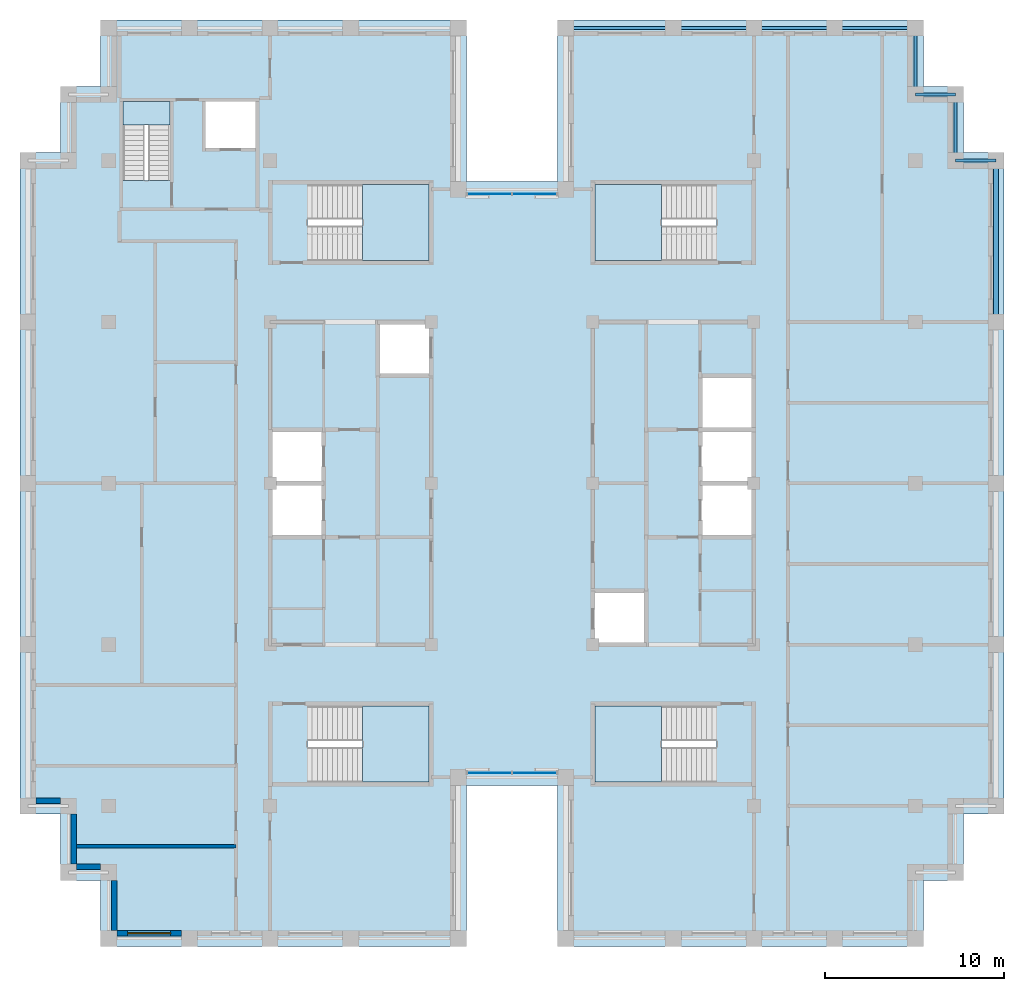
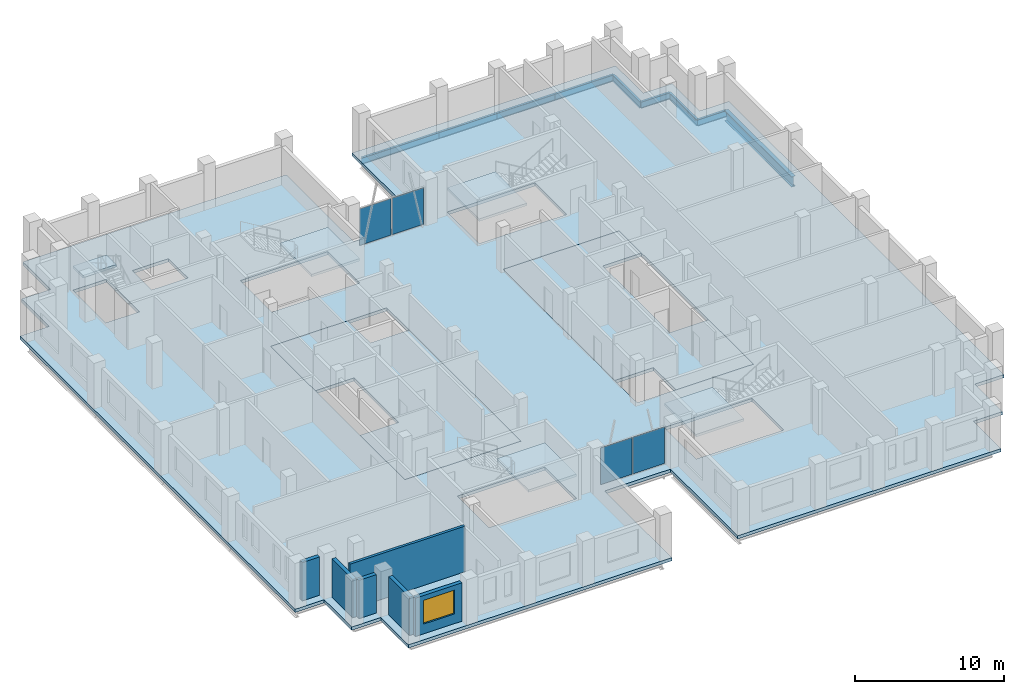
# One storey, part 5 of 13: 9 beams, 8 slabs, 6 walls, 4 plates, 1 window, 1 opening, 7 elements without a shape of their own.
"""IFC4 building model written with IfcOpenShell, lengths in metres."""

from ifc_helpers import new_model, si_unit, direction, frame, frame_2d, origin, origin_2d, place, context, subcontext, project, spatial, polyline, rectangle, i_section, outline, extrude, material, layer, layer_set, material_profile, profile_set, type_object, element, fill, aggregate, save


model = new_model("IFC4")

# Units and contexts
model_context = context("Model", 3, precision=1e-05, world=origin(), true_north=direction((0.0, 1.0)))
body_context = subcontext(model_context, "Body", "Model", "MODEL_VIEW")
ifc_project = project(units=[si_unit("LENGTHUNIT", "METRE"), si_unit("AREAUNIT", "SQUARE_METRE"), si_unit("VOLUMEUNIT", "CUBIC_METRE"), si_unit("PLANEANGLEUNIT", "RADIAN"), si_unit("MASSUNIT", "GRAM", prefix="KILO")], contexts=[model_context])

# Site, building, storey
site_placement = place(None, origin())
site = spatial("IfcSite", under=ifc_project, at=site_placement, CompositionType="ELEMENT")
building_placement = place(site_placement, origin())
building = spatial("IfcBuilding", under=site, at=building_placement, Name="Corbelhall Arena Tower", CompositionType="ELEMENT")
storey_placement = place(building_placement, frame((0.0, 0.0, 342.0)))
storey = spatial("IfcBuildingStorey", under=building, at=storey_placement, Name="L75", CompositionType="ELEMENT", Elevation=342.0)

# Beams
ifc_material_1 = material(Name="Steel ASTM A992 Gr50", Category="steel")
ifc_material_profile_1 = material_profile(ifc_material_1, i_section(OverallWidth=0.16650390625, OverallDepth=0.535888671875, WebThickness=0.01025390625, FlangeThickness=0.0166015625, at=origin_2d()))
ifc_profile_set_1 = profile_set([ifc_material_profile_1], Name="Steel ASTM A992 Gr50")
beam_type_1 = type_object("IfcBeamType", Name="ST-SPANDREL-W21x57", PredefinedType="SPANDREL", material=ifc_profile_set_1)
beam_1_placement = place(storey_placement, frame((3.0, 25.39990234375, -0.528076171875), z_axis=(1.0, 0.0, 0.0), x_axis=(0.0, 1.0, 0.0)))
element("IfcBeam", 1, at=beam_1_placement, inside=storey, type_object=beam_type_1, Name="Beam SP 6", PredefinedType="SPANDREL", context=body_context, shape_type="SweptSolid", body=[
    extrude(i_section(OverallWidth=0.16650390625, OverallDepth=0.535888671875, WebThickness=0.01025390625, FlangeThickness=0.0166015625, at=origin_2d()), origin(), (0.0, 0.0, 1.0), 6.0),
])
for number, where, z_axis, x_axis, name in (
    (2, (9.0, 25.39990234375, -0.528076171875), (1.0, 0.0, 0.0), (0.0, 1.0, 0.0), "Beam SP 7"),
    (3, (13.5, 25.39990234375, -0.528076171875), (1.0, 0.0, 0.0), (0.0, 1.0, 0.0), "Beam SP 8"),
    (4, (18.0, 25.39990234375, -0.528076171875), (1.0, 0.0, 0.0), (0.0, 1.0, 0.0), "Beam SP 9"),
):
    element("IfcBeam", number, at=place(storey_placement, frame(where, z_axis=z_axis, x_axis=x_axis)), inside=storey, type_object=beam_type_1, Name=name, PredefinedType="SPANDREL", context=body_context, shape_type="SweptSolid", body=[
        extrude(i_section(OverallWidth=0.16650390625, OverallDepth=0.535888671875, WebThickness=0.01025390625, FlangeThickness=0.0166015625, at=origin_2d()), origin(), (0.0, 0.0, 1.0), 4.5),
    ])
beam_2_placement = place(storey_placement, frame((22.5, 25.39990234375, -0.528076171875), z_axis=(0.0, -1.0, 0.0), x_axis=(1.0, 0.0, 0.0)))
element("IfcBeam", 5, at=beam_2_placement, inside=storey, type_object=beam_type_1, Name="Beam SP 10", PredefinedType="SPANDREL", context=body_context, shape_type="SweptSolid", body=[
    extrude(i_section(OverallWidth=0.16650390625, OverallDepth=0.535888671875, WebThickness=0.01025390625, FlangeThickness=0.0166015625, at=origin_2d()), origin(), (0.0, 0.0, 1.0), 3.699951171875),
])
beam_3_placement = place(storey_placement, frame((22.5, 21.699951171875, -0.528076171875), z_axis=(1.0, 0.0, 0.0), x_axis=(0.0, 1.0, 0.0)))
element("IfcBeam", 6, at=beam_3_placement, inside=storey, type_object=beam_type_1, Name="Beam SP 35", PredefinedType="SPANDREL", context=body_context, shape_type="SweptSolid", body=[
    extrude(i_section(OverallWidth=0.16650390625, OverallDepth=0.535888671875, WebThickness=0.01025390625, FlangeThickness=0.0166015625, at=origin_2d()), origin(), (0.0, 0.0, 1.0), 2.25),
])
beam_4_placement = place(storey_placement, frame((24.75, 21.699951171875, -0.528076171875), z_axis=(0.0, -1.0, 0.0), x_axis=(1.0, 0.0, 0.0)))
element("IfcBeam", 7, at=beam_4_placement, inside=storey, type_object=beam_type_1, Name="Beam SP 36", PredefinedType="SPANDREL", context=body_context, shape_type="SweptSolid", body=[
    extrude(i_section(OverallWidth=0.16650390625, OverallDepth=0.535888671875, WebThickness=0.01025390625, FlangeThickness=0.0166015625, at=origin_2d()), origin(), (0.0, 0.0, 1.0), 3.699951171875),
])
beam_5_placement = place(storey_placement, frame((24.75, 18.0, -0.528076171875), z_axis=(1.0, 0.0, 0.0), x_axis=(0.0, 1.0, 0.0)))
element("IfcBeam", 8, at=beam_5_placement, inside=storey, type_object=beam_type_1, Name="Beam SP 37", PredefinedType="SPANDREL", context=body_context, shape_type="SweptSolid", body=[
    extrude(i_section(OverallWidth=0.16650390625, OverallDepth=0.535888671875, WebThickness=0.01025390625, FlangeThickness=0.0166015625, at=origin_2d()), origin(), (0.0, 0.0, 1.0), 2.25),
])
ifc_material_profile_2 = material_profile(ifc_material_1, i_section(OverallWidth=0.2919921875, OverallDepth=0.845703125, WebThickness=0.015380859375, FlangeThickness=0.0244140625, at=origin_2d()))
ifc_profile_set_2 = profile_set([ifc_material_profile_2], Name="Steel ASTM A992 Gr50")
beam_type_2 = type_object("IfcBeamType", Name="ST-SPANDREL-W33x141", PredefinedType="SPANDREL", material=ifc_profile_set_2)
beam_6_placement = place(storey_placement, frame((27.0, 18.0, -0.682861328125), z_axis=(0.0, -1.0, 0.0), x_axis=(1.0, 0.0, 0.0)))
element("IfcBeam", 9, at=beam_6_placement, inside=storey, type_object=beam_type_2, Name="Beam SP 3", PredefinedType="SPANDREL", context=body_context, shape_type="SweptSolid", body=[
    extrude(i_section(OverallWidth=0.2919921875, OverallDepth=0.845703125, WebThickness=0.015380859375, FlangeThickness=0.0244140625, at=origin_2d()), origin(), (0.0, 0.0, 1.0), 9.0),
])

# Curtain wall, plates
ifc_material_2 = material(Name="Aluminium black anodised", Category="aluminium")
ifc_layer_1 = layer(ifc_material_2, 0.199951171875)
ifc_layer_set_1 = layer_set([ifc_layer_1], Name="EV-CW1 Slot back wall")
curtain_wall_type = type_object("IfcCurtainWallType", Name="EV-CW1 Slot back wall", PredefinedType="NOTDEFINED", material=ifc_layer_set_1)
curtain_wall_1_placement = place(storey_placement, origin())
curtain_wall_1 = element("IfcCurtainWall", 10, at=curtain_wall_1_placement, inside=storey, type_object=curtain_wall_type, Name="Curtain wall CW1", PredefinedType="NOTDEFINED")
ifc_material_3 = material(Name="Glass dark tinted laminated", Category="glass")
ifc_layer_2 = layer(ifc_material_3, 0.028076171875)
ifc_layer_set_2 = layer_set([ifc_layer_2], Name="EV-CW1-PANEL")
plate_type = type_object("IfcPlateType", Name="EV-CW1-PANEL", PredefinedType="CURTAIN_PANEL", material=ifc_layer_set_2)
plate_1_placement = place(storey_placement, frame((-1.25634765625, -16.14990234375, 0.0751953125), z_axis=(0.0, 0.0, 1.0), x_axis=(1.0, 0.0, 0.0)))
plate_1 = element("IfcPlate", 11, at=plate_1_placement, type_object=plate_type, Name="CW1 panel 1.1", PredefinedType="CURTAIN_PANEL", context=body_context, shape_type="SweptSolid", body=[
    extrude(rectangle(XDim=2.4375, YDim=0.028076171875, at=origin_2d()), origin(), (0.0, 0.0, 1.0), 2.989990234375),
])
plate_2_placement = place(storey_placement, frame((1.25634765625, -16.14990234375, 0.0751953125), z_axis=(0.0, 0.0, 1.0), x_axis=(1.0, 0.0, 0.0)))
plate_2 = element("IfcPlate", 12, at=plate_2_placement, type_object=plate_type, Name="CW1 panel 2.1", PredefinedType="CURTAIN_PANEL", context=body_context, shape_type="SweptSolid", body=[
    extrude(rectangle(XDim=2.4375, YDim=0.028076171875, at=origin_2d()), origin(), (0.0, 0.0, 1.0), 2.989990234375),
])
aggregate(curtain_wall_1, [plate_1, plate_2])

curtain_wall_2_placement = place(storey_placement, origin())
curtain_wall_2 = element("IfcCurtainWall", 13, at=curtain_wall_2_placement, inside=storey, type_object=curtain_wall_type, Name="Curtain wall CW1", PredefinedType="NOTDEFINED")
plate_3_placement = place(storey_placement, frame((1.25634765625, 16.14990234375, 0.0751953125), z_axis=(0.0, 0.0, 1.0), x_axis=(-1.0, 0.0, 0.0)))
plate_3 = element("IfcPlate", 14, at=plate_3_placement, type_object=plate_type, Name="CW1 panel 1.1", PredefinedType="CURTAIN_PANEL", context=body_context, shape_type="SweptSolid", body=[
    extrude(rectangle(XDim=2.4375, YDim=0.028076171875, at=origin_2d()), origin(), (0.0, 0.0, 1.0), 2.989990234375),
])
plate_4_placement = place(storey_placement, frame((-1.25634765625, 16.14990234375, 0.0751953125), z_axis=(0.0, 0.0, 1.0), x_axis=(-1.0, 0.0, 0.0)))
plate_4 = element("IfcPlate", 15, at=plate_4_placement, type_object=plate_type, Name="CW1 panel 2.1", PredefinedType="CURTAIN_PANEL", context=body_context, shape_type="SweptSolid", body=[
    extrude(rectangle(XDim=2.4375, YDim=0.028076171875, at=origin_2d()), origin(), (0.0, 0.0, 1.0), 2.989990234375),
])
aggregate(curtain_wall_2, [plate_3, plate_4])

# Slabs
ifc_material_4 = material(Name="Concrete C40/50", Category="concrete")
ifc_layer_3 = layer(ifc_material_4, 0.300048828125)
ifc_layer_set_3 = layer_set([ifc_layer_3], Name="IN-SL-CORE")
slab_type_1 = type_object("IfcSlabType", Name="IN-SL-CORE", PredefinedType="FLOOR", material=ifc_layer_set_3)
slab_1_placement = place(storey_placement, frame((0.0, 0.0, -0.260009765625)))
element("IfcSlab", 16, at=slab_1_placement, inside=storey, type_object=slab_type_1, Name="Core floor W", PredefinedType="FLOOR", context=body_context, shape_type="SweptSolid", body=[
    extrude(outline(polyline([(-13.5, -3.0), (-13.5, -9.0), (-4.5, -9.0), (-4.5, 6.0), (-7.5, 6.0), (-7.5, 9.0), (-13.5, 9.0), (-13.5, 3.0), (-10.5, 3.0), (-10.5, 0.0), (-10.5, -3.0), (-13.5, -3.0)])), origin(), (0.0, 0.0, 1.0), 0.260009765625),
])
slab_2_placement = place(storey_placement, frame((0.0, 0.0, -0.260009765625)))
element("IfcSlab", 17, at=slab_2_placement, inside=storey, type_object=slab_type_1, Name="Core floor E", PredefinedType="FLOOR", context=body_context, shape_type="SweptSolid", body=[
    extrude(outline(polyline([(10.5, 0.0), (10.5, 3.0), (10.5, 6.0), (13.5, 6.0), (13.5, 9.0), (4.5, 9.0), (4.5, -6.0), (7.5, -6.0), (7.5, -9.0), (13.5, -9.0), (13.5, -3.0), (10.5, -3.0), (10.5, 0.0)])), origin(), (0.0, 0.0, 1.0), 0.260009765625),
])

# Stair, slab
stair_type = type_object("IfcStairType", Name="IN-ST-TOWER", PredefinedType="HALF_TURN_STAIR", material=ifc_material_4)
stair_1_placement = place(storey_placement, origin())
stair_1 = element("IfcStair", 18, at=stair_1_placement, inside=storey, type_object=stair_type, Name="L75 Exit stair ST1", PredefinedType="HALF_TURN_STAIR")
ifc_layer_4 = layer(ifc_material_4, 0.199951171875)
ifc_layer_set_4 = layer_set([ifc_layer_4], Name="IN-SL-LANDING")
slab_type_2 = type_object("IfcSlabType", Name="IN-SL-LANDING", PredefinedType="LANDING", material=ifc_layer_set_4)
slab_3_placement = place(storey_placement, frame((0.0, 0.0, 1.800048828125)))
slab_3 = element("IfcSlab", 19, at=slab_3_placement, type_object=slab_type_2, Name="ST1 landing 1", PredefinedType="LANDING", context=body_context, shape_type="SweptSolid", body=[
    extrude(outline(polyline([(-8.344970703125, 12.425048828125), (-4.625, 12.425048828125), (-4.625, 16.675048828125), (-8.344970703125, 16.675048828125), (-8.344970703125, 12.425048828125)])), origin(), (0.0, 0.0, 1.0), 0.199951171875),
])
aggregate(stair_1, [slab_3])

stair_2_placement = place(storey_placement, origin())
stair_2 = element("IfcStair", 20, at=stair_2_placement, inside=storey, type_object=stair_type, Name="L75 Exit stair ST2", PredefinedType="HALF_TURN_STAIR")
slab_4_placement = place(storey_placement, frame((0.0, 0.0, 1.800048828125)))
slab_4 = element("IfcSlab", 21, at=slab_4_placement, type_object=slab_type_2, Name="ST2 landing 1", PredefinedType="LANDING", context=body_context, shape_type="SweptSolid", body=[
    extrude(outline(polyline([(-8.344970703125, -16.675048828125), (-4.625, -16.675048828125), (-4.625, -12.425048828125), (-8.344970703125, -12.425048828125), (-8.344970703125, -16.675048828125)])), origin(), (0.0, 0.0, 1.0), 0.199951171875),
])
aggregate(stair_2, [slab_4])

stair_3_placement = place(storey_placement, origin())
stair_3 = element("IfcStair", 22, at=stair_3_placement, inside=storey, type_object=stair_type, Name="L75 Exit stair ST3", PredefinedType="HALF_TURN_STAIR")
slab_5_placement = place(storey_placement, frame((0.0, 0.0, 1.800048828125)))
slab_5 = element("IfcSlab", 23, at=slab_5_placement, type_object=slab_type_2, Name="ST3 landing 1", PredefinedType="LANDING", context=body_context, shape_type="SweptSolid", body=[
    extrude(outline(polyline([(8.344970703125, 16.675048828125), (4.625, 16.675048828125), (4.625, 12.425048828125), (8.344970703125, 12.425048828125), (8.344970703125, 16.675048828125)])), origin(), (0.0, 0.0, 1.0), 0.199951171875),
])
aggregate(stair_3, [slab_5])

stair_4_placement = place(storey_placement, origin())
stair_4 = element("IfcStair", 24, at=stair_4_placement, inside=storey, type_object=stair_type, Name="L75 Exit stair ST4", PredefinedType="HALF_TURN_STAIR")
slab_6_placement = place(storey_placement, frame((0.0, 0.0, 1.800048828125)))
slab_6 = element("IfcSlab", 25, at=slab_6_placement, type_object=slab_type_2, Name="ST4 landing 1", PredefinedType="LANDING", context=body_context, shape_type="SweptSolid", body=[
    extrude(outline(polyline([(8.344970703125, -12.425048828125), (4.625, -12.425048828125), (4.625, -16.675048828125), (8.344970703125, -16.675048828125), (8.344970703125, -12.425048828125)])), origin(), (0.0, 0.0, 1.0), 0.199951171875),
])
aggregate(stair_4, [slab_6])

stair_5_placement = place(storey_placement, origin())
stair_5 = element("IfcStair", 26, at=stair_5_placement, inside=storey, type_object=stair_type, Name="L75 Exit stair ST5", PredefinedType="HALF_TURN_STAIR")
slab_7_placement = place(storey_placement, frame((0.0, 0.0, 1.800048828125)))
slab_7 = element("IfcSlab", 27, at=slab_7_placement, type_object=slab_type_2, Name="ST5 landing 1", PredefinedType="LANDING", context=body_context, shape_type="SweptSolid", body=[
    extrude(outline(polyline([(-19.094970703125, 19.97998046875), (-19.094970703125, 21.300048828125), (-21.695068359375, 21.300048828125), (-21.695068359375, 19.97998046875), (-19.094970703125, 19.97998046875)])), origin(), (0.0, 0.0, 1.0), 0.199951171875),
])
aggregate(stair_5, [slab_7])

# Slab
ifc_layer_5 = layer(ifc_material_4, 0.260009765625)
ifc_layer_set_5 = layer_set([ifc_layer_5], Name="ST-SLAB-FLOOR-260")
slab_type_3 = type_object("IfcSlabType", Name="ST-SLAB-FLOOR-260", PredefinedType="FLOOR", material=ifc_layer_set_5)
slab_8_placement = place(storey_placement, frame((0.0, 0.0, -0.260009765625)))
element("IfcSlab", 28, at=slab_8_placement, inside=storey, type_object=slab_type_3, Name="Floor slab L75 1", PredefinedType="FLOOR", context=body_context, shape_type="SweptSolid", body=[
    extrude(outline(polyline([(22.949951171875, 25.85009765625), (2.550048828125, 25.85009765625), (2.550048828125, 16.85009765625), (-2.550048828125, 16.85009765625), (-2.550048828125, 25.85009765625), (-22.949951171875, 25.85009765625), (-22.949951171875, 22.14990234375), (-25.199951171875, 22.14990234375), (-25.199951171875, 18.449951171875), (-27.449951171875, 18.449951171875), (-27.449951171875, -18.449951171875), (-25.199951171875, -18.449951171875), (-25.199951171875, -22.14990234375), (-22.949951171875, -22.14990234375), (-22.949951171875, -25.85009765625), (-2.550048828125, -25.85009765625), (-2.550048828125, -16.85009765625), (2.550048828125, -16.85009765625), (2.550048828125, -25.85009765625), (22.949951171875, -25.85009765625), (22.949951171875, -22.14990234375), (25.199951171875, -22.14990234375), (25.199951171875, -18.449951171875), (27.449951171875, -18.449951171875), (27.449951171875, 18.449951171875), (25.199951171875, 18.449951171875), (25.199951171875, 22.14990234375), (22.949951171875, 22.14990234375), (22.949951171875, 25.85009765625)]), holes=[polyline([(-13.5, 9.0), (-13.5, -9.0), (-4.5, -9.0), (-4.5, 9.0), (-13.5, 9.0)]), polyline([(4.5, 9.0), (4.5, -9.0), (13.5, -9.0), (13.5, 9.0), (4.5, 9.0)]), polyline([(-4.625, 16.675048828125), (-11.422119140625, 16.675048828125), (-11.422119140625, 12.425048828125), (-4.625, 12.425048828125), (-4.625, 16.675048828125)]), polyline([(-4.625, -16.675048828125), (-4.625, -12.425048828125), (-11.422119140625, -12.425048828125), (-11.422119140625, -16.675048828125), (-4.625, -16.675048828125)]), polyline([(11.422119140625, 16.675048828125), (4.625, 16.675048828125), (4.625, 12.425048828125), (11.422119140625, 12.425048828125), (11.422119140625, 16.675048828125)]), polyline([(11.422119140625, -16.675048828125), (11.422119140625, -12.425048828125), (4.625, -12.425048828125), (4.625, -16.675048828125), (11.422119140625, -16.675048828125)]), polyline([(-21.695068359375, 21.300048828125), (-21.695068359375, 16.903076171875), (-19.094970703125, 16.903076171875), (-19.094970703125, 21.300048828125), (-21.695068359375, 21.300048828125)]), polyline([(-14.300048828125, 21.300048828125), (-17.10009765625, 21.300048828125), (-17.10009765625, 18.699951171875), (-14.300048828125, 18.699951171875), (-14.300048828125, 21.300048828125)])]), origin(), (0.0, 0.0, 1.0), 0.260009765625),
])

# Walls
ifc_material_5 = material(Name="Precast concrete C40/50 with granite facing", Category="masonry")
ifc_layer_6 = layer(ifc_material_5, 0.300048828125)
ifc_layer_set_6 = layer_set([ifc_layer_6], Name="EV-IW1 Infill panel 300")
wall_type_1 = type_object("IfcWallType", Name="EV-IW1 Infill panel 300", PredefinedType="SOLIDWALL", material=ifc_layer_set_6)
wall_1_placement = place(storey_placement, frame((-26.550048828125, -17.699951171875, 0.0), z_axis=(0.0, 0.0, 1.0), x_axis=(1.0, 0.0, 0.0)))
element("IfcWall", 29, at=wall_1_placement, inside=storey, type_object=wall_type_1, Name="Infill panel IW1", PredefinedType="SOLIDWALL", context=body_context, shape_type="SweptSolid", body=[
    extrude(rectangle(XDim=1.35009765625, YDim=0.300048828125, at=frame_2d((0.675048828125, 0.0))), origin(), (0.0, 0.0, 1.0), 3.139892578125),
])
wall_2_placement = place(storey_placement, frame((-24.449951171875, -18.449951171875, 0.0), z_axis=(0.0, 0.0, 1.0), x_axis=(0.0, -1.0, 0.0)))
element("IfcWall", 30, at=wall_2_placement, inside=storey, type_object=wall_type_1, Name="Infill panel IW1", PredefinedType="SOLIDWALL", context=body_context, shape_type="SweptSolid", body=[
    extrude(rectangle(XDim=2.800048828125, YDim=0.300048828125, at=frame_2d((1.39990234375, 0.0))), origin(), (0.0, 0.0, 1.0), 3.139892578125),
])
wall_3_placement = place(storey_placement, frame((-24.300048828125, -21.39990234375, 0.0), z_axis=(0.0, 0.0, 1.0), x_axis=(1.0, 0.0, 0.0)))
element("IfcWall", 31, at=wall_3_placement, inside=storey, type_object=wall_type_1, Name="Infill panel IW1", PredefinedType="SOLIDWALL", context=body_context, shape_type="SweptSolid", body=[
    extrude(rectangle(XDim=1.35009765625, YDim=0.300048828125, at=frame_2d((0.675048828125, 0.0))), origin(), (0.0, 0.0, 1.0), 3.139892578125),
])
wall_4_placement = place(storey_placement, frame((-22.199951171875, -22.14990234375, 0.0), z_axis=(0.0, 0.0, 1.0), x_axis=(0.0, -1.0, 0.0)))
element("IfcWall", 32, at=wall_4_placement, inside=storey, type_object=wall_type_1, Name="Infill panel IW1", PredefinedType="SOLIDWALL", context=body_context, shape_type="SweptSolid", body=[
    extrude(rectangle(XDim=2.800048828125, YDim=0.300048828125, at=frame_2d((1.39990234375, 0.0))), origin(), (0.0, 0.0, 1.0), 3.139892578125),
])

# Wall, opening, window
wall_5_placement = place(storey_placement, frame((-22.050048828125, -25.10009765625, 0.0), z_axis=(0.0, 0.0, 1.0), x_axis=(1.0, 0.0, 0.0)))
wall_5 = element("IfcWall", 33, at=wall_5_placement, inside=storey, type_object=wall_type_1, Name="Infill panel IW1", PredefinedType="SOLIDWALL", context=body_context, shape_type="SweptSolid", body=[
    extrude(rectangle(XDim=3.60009765625, YDim=0.300048828125, at=frame_2d((1.800048828125, 0.0))), origin(), (0.0, 0.0, 1.0), 3.139892578125),
])
opening_placement = place(wall_5_placement, frame((0.60009765625, 0.0, 0.800048828125)))
opening = element("IfcOpeningElement", 34, at=opening_placement, cuts=wall_5, Name="Opening WN1", PredefinedType="OPENING", context=body_context, shape_type="SweptSolid", body=[
    extrude(rectangle(XDim=2.39990234375, YDim=1.949951171875, at=frame_2d((1.199951171875, 0.97509765625))), frame((0.0, 0.14990234375, 0.0), z_axis=(0.0, -1.0, 0.0), x_axis=(1.0, 0.0, 0.0)), (0.0, 0.0, 1.0), 0.300048828125),
])
window_type = type_object("IfcWindowType", Name="EV-WN1 Office window", PartitioningType="SINGLE_PANEL", PredefinedType="WINDOW", material=ifc_material_2)
window_placement = place(opening_placement, origin())
window = element("IfcWindow", 35, at=window_placement, inside=storey, type_object=window_type, Name="Window WN1", OverallHeight=1.949951171875, OverallWidth=2.39990234375, PartitioningType="SINGLE_PANEL", PredefinedType="WINDOW", context=body_context, shape_type="SweptSolid", body=[
    extrude(rectangle(XDim=2.39990234375, YDim=1.949951171875, at=frame_2d((1.199951171875, 0.97509765625))), frame((0.0, 0.030029296875, 0.0), z_axis=(0.0, -1.0, 0.0), x_axis=(1.0, 0.0, 0.0)), (0.0, 0.0, 1.0), 0.06005859375),
])
fill(opening, window)

# Wall
ifc_material_6 = material(Name="Gypsum board on steel stud, acoustic", Category="steel")
ifc_layer_7 = layer(ifc_material_6, 0.199951171875)
ifc_layer_set_7 = layer_set([ifc_layer_7], Name="IN-W-DM200")
wall_type_2 = type_object("IfcWallType", Name="IN-W-DM200", PredefinedType="PARTITIONING", material=ifc_layer_set_7)
wall_6_placement = place(storey_placement, frame((-24.300048828125, -20.25, 0.0), z_axis=(0.0, 0.0, 1.0), x_axis=(1.0, 0.0, 0.0)))
element("IfcWall", 36, at=wall_6_placement, inside=storey, type_object=wall_type_2, Name="Partition 003", PredefinedType="PARTITIONING", context=body_context, shape_type="SweptSolid", body=[
    extrude(rectangle(XDim=8.900146484375, YDim=0.199951171875, at=frame_2d((4.4501953125, 0.0))), origin(), (0.0, 0.0, 1.0), 3.739990234375),
])

save(model, "model.ifc")
